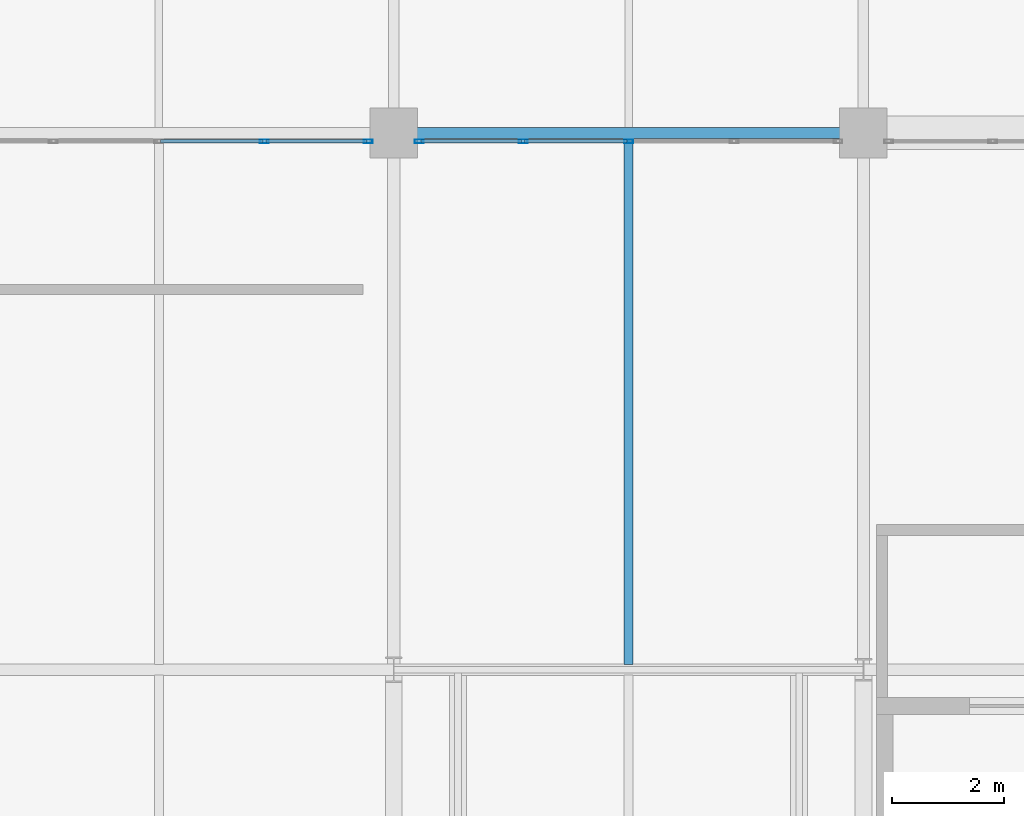
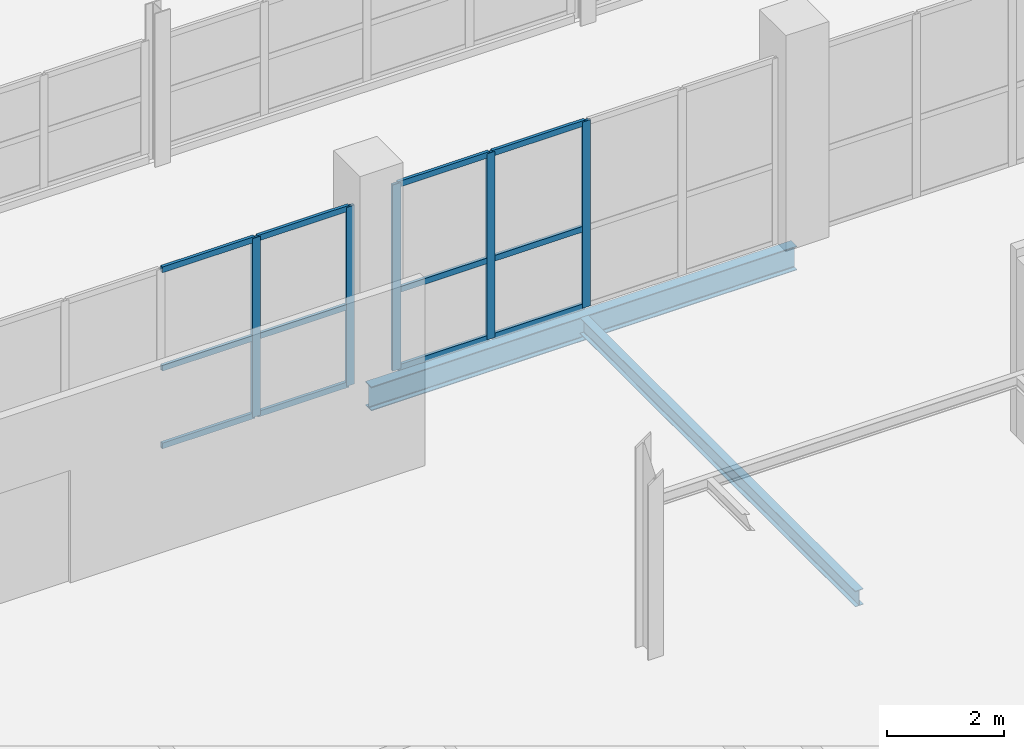
# One storey, part 37 of 103: 17 members, 2 beams, 2 elements without a shape of their own.
"""IFC4 building model written with IfcOpenShell, lengths in metres."""

from ifc_helpers import new_model, si_unit, direction, frame, origin, origin_2d, place, context, subcontext, project, spatial, hollow_rectangle, i_section, extrude, material, material_profile, profile_set, type_object, element, aggregate, save


model = new_model("IFC4")

# Units and contexts
model_context = context("Model", 3, precision=1e-05, world=origin(), true_north=direction((0.0, 1.0)))
body_context = subcontext(model_context, "Body", "Model", "MODEL_VIEW")
ifc_project = project(units=[si_unit("LENGTHUNIT", "METRE"), si_unit("AREAUNIT", "SQUARE_METRE"), si_unit("VOLUMEUNIT", "CUBIC_METRE"), si_unit("PLANEANGLEUNIT", "RADIAN"), si_unit("MASSUNIT", "GRAM", prefix="KILO")], contexts=[model_context])

# Site, building, storey
site_placement = place(None, origin())
site = spatial("IfcSite", under=ifc_project, at=site_placement, CompositionType="ELEMENT")
building_placement = place(site_placement, origin())
building = spatial("IfcBuilding", under=site, at=building_placement, Name="Veltarok Museum of Natural Sciences", CompositionType="ELEMENT")
storey_placement = place(building_placement, frame((0.0, 0.0, 21.89990234375)))
storey = spatial("IfcBuildingStorey", under=building, at=storey_placement, Name="L04", CompositionType="ELEMENT", Elevation=21.89990234375)

# Curtain wall, members
ifc_material_1 = material(Name="Low-iron triple insulated glass", Category="glass")
curtain_wall_type_1 = type_object("IfcCurtainWallType", Name="Curtain Wall System CW-V1CN4-L04-3-755x373 (CW-V1CN4 L04 755x373cm)", PredefinedType="NOTDEFINED", material=ifc_material_1)
curtain_wall_1_placement = place(storey_placement, origin())
curtain_wall_1 = element("IfcCurtainWall", 1, at=curtain_wall_1_placement, inside=storey, type_object=curtain_wall_type_1, Name="Curtain Wall CW-V1CN4-L04-3-755x373 CW-0167", PredefinedType="NOTDEFINED")
ifc_material_2 = material(Name="Thermally broken anodised aluminium", Category="aluminium")
ifc_material_profile_1 = material_profile(ifc_material_2, hollow_rectangle(XDim=0.06005859375, YDim=0.1201171875, WallThickness=0.0048828125, at=origin_2d()), Name="CW TRANSOM 60x120x5")
ifc_profile_set_1 = profile_set([ifc_material_profile_1], Name="Thermally broken anodised aluminium")
member_type_1 = type_object("IfcMemberType", Name="Curtain Wall Horizontal Transom 60x120x5", PredefinedType="USERDEFINED", material=ifc_profile_set_1)
member_1_placement = place(storey_placement, frame((81.514892578125, 19.050048828125, 0.028076171875), z_axis=(-1.0, 0.0, 0.0), x_axis=(0.0, -1.0, 0.0)))
member_1 = element("IfcMember", 2, at=member_1_placement, type_object=member_type_1, Name="CW-V1CN4-L04-3-755x373 transom 1.1", ObjectType="TRANSOM", PredefinedType="USERDEFINED", context=body_context, shape_type="SweptSolid", body=[
    extrude(hollow_rectangle(XDim=0.06005859375, YDim=0.1201171875, WallThickness=0.0048828125, at=origin_2d()), origin(), (0.0, 0.0, 1.0), 1.79736328125),
])
member_2_placement = place(storey_placement, frame((81.514892578125, 19.050048828125, 1.648193359375), z_axis=(-1.0, 0.0, 0.0), x_axis=(0.0, -1.0, 0.0)))
member_2 = element("IfcMember", 3, at=member_2_placement, type_object=member_type_1, Name="CW-V1CN4-L04-3-755x373 transom 1.2", ObjectType="TRANSOM", PredefinedType="USERDEFINED", context=body_context, shape_type="SweptSolid", body=[
    extrude(hollow_rectangle(XDim=0.06005859375, YDim=0.1201171875, WallThickness=0.0048828125, at=origin_2d()), origin(), (0.0, 0.0, 1.0), 1.79736328125),
])
member_3_placement = place(storey_placement, frame((81.514892578125, 19.050048828125, 3.7001953125), z_axis=(-1.0, 0.0, 0.0), x_axis=(0.0, -1.0, 0.0)))
member_3 = element("IfcMember", 4, at=member_3_placement, type_object=member_type_1, Name="CW-V1CN4-L04-3-755x373 transom 1.3", ObjectType="TRANSOM", PredefinedType="USERDEFINED", context=body_context, shape_type="SweptSolid", body=[
    extrude(hollow_rectangle(XDim=0.06005859375, YDim=0.1201171875, WallThickness=0.0048828125, at=origin_2d()), origin(), (0.0, 0.0, 1.0), 1.79736328125),
])
member_4_placement = place(storey_placement, frame((79.657470703125, 19.050048828125, 0.028076171875), z_axis=(-1.0, 0.0, 0.0), x_axis=(0.0, -1.0, 0.0)))
member_4 = element("IfcMember", 5, at=member_4_placement, type_object=member_type_1, Name="CW-V1CN4-L04-3-755x373 transom 2.1", ObjectType="TRANSOM", PredefinedType="USERDEFINED", context=body_context, shape_type="SweptSolid", body=[
    extrude(hollow_rectangle(XDim=0.06005859375, YDim=0.1201171875, WallThickness=0.0048828125, at=origin_2d()), origin(), (0.0, 0.0, 1.0), 1.827392578125),
])
member_5_placement = place(storey_placement, frame((79.657470703125, 19.050048828125, 1.648193359375), z_axis=(-1.0, 0.0, 0.0), x_axis=(0.0, -1.0, 0.0)))
member_5 = element("IfcMember", 6, at=member_5_placement, type_object=member_type_1, Name="CW-V1CN4-L04-3-755x373 transom 2.2", ObjectType="TRANSOM", PredefinedType="USERDEFINED", context=body_context, shape_type="SweptSolid", body=[
    extrude(hollow_rectangle(XDim=0.06005859375, YDim=0.1201171875, WallThickness=0.0048828125, at=origin_2d()), origin(), (0.0, 0.0, 1.0), 1.827392578125),
])
member_6_placement = place(storey_placement, frame((79.657470703125, 19.050048828125, 3.7001953125), z_axis=(-1.0, 0.0, 0.0), x_axis=(0.0, -1.0, 0.0)))
member_6 = element("IfcMember", 7, at=member_6_placement, type_object=member_type_1, Name="CW-V1CN4-L04-3-755x373 transom 2.3", ObjectType="TRANSOM", PredefinedType="USERDEFINED", context=body_context, shape_type="SweptSolid", body=[
    extrude(hollow_rectangle(XDim=0.06005859375, YDim=0.1201171875, WallThickness=0.0048828125, at=origin_2d()), origin(), (0.0, 0.0, 1.0), 1.827392578125),
])

curtain_wall_type_2 = type_object("IfcCurtainWallType", Name="Curtain Wall System CW-V1CN4-L04-0-755x388 (CW-V1CN4 L04 755x388cm)", PredefinedType="NOTDEFINED", material=ifc_material_1)
curtain_wall_2_placement = place(storey_placement, origin())
curtain_wall_2 = element("IfcCurtainWall", 8, at=curtain_wall_2_placement, inside=storey, type_object=curtain_wall_type_2, Name="Curtain Wall CW-V1CN4-L04-0-755x388 CW-0168", PredefinedType="NOTDEFINED")
member_7_placement = place(storey_placement, frame((86.169921875, 19.050048828125, 0.028076171875), z_axis=(-1.0, 0.0, 0.0), x_axis=(0.0, -1.0, 0.0)))
member_7 = element("IfcMember", 9, at=member_7_placement, type_object=member_type_1, Name="CW-V1CN4-L04-0-755x388 transom 3.1", ObjectType="TRANSOM", PredefinedType="USERDEFINED", context=body_context, shape_type="SweptSolid", body=[
    extrude(hollow_rectangle(XDim=0.06005859375, YDim=0.1201171875, WallThickness=0.0048828125, at=origin_2d()), origin(), (0.0, 0.0, 1.0), 1.827392578125),
])
member_8_placement = place(storey_placement, frame((86.169921875, 19.050048828125, 1.648193359375), z_axis=(-1.0, 0.0, 0.0), x_axis=(0.0, -1.0, 0.0)))
member_8 = element("IfcMember", 10, at=member_8_placement, type_object=member_type_1, Name="CW-V1CN4-L04-0-755x388 transom 3.2", ObjectType="TRANSOM", PredefinedType="USERDEFINED", context=body_context, shape_type="SweptSolid", body=[
    extrude(hollow_rectangle(XDim=0.06005859375, YDim=0.1201171875, WallThickness=0.0048828125, at=origin_2d()), origin(), (0.0, 0.0, 1.0), 1.827392578125),
])
member_9_placement = place(storey_placement, frame((86.169921875, 19.050048828125, 3.85009765625), z_axis=(-1.0, 0.0, 0.0), x_axis=(0.0, -1.0, 0.0)))
member_9 = element("IfcMember", 11, at=member_9_placement, type_object=member_type_1, Name="CW-V1CN4-L04-0-755x388 transom 3.3", ObjectType="TRANSOM", PredefinedType="USERDEFINED", context=body_context, shape_type="SweptSolid", body=[
    extrude(hollow_rectangle(XDim=0.06005859375, YDim=0.1201171875, WallThickness=0.0048828125, at=origin_2d()), origin(), (0.0, 0.0, 1.0), 1.827392578125),
])
member_10_placement = place(storey_placement, frame((84.282470703125, 19.050048828125, 0.028076171875), z_axis=(-1.0, 0.0, 0.0), x_axis=(0.0, -1.0, 0.0)))
member_10 = element("IfcMember", 12, at=member_10_placement, type_object=member_type_1, Name="CW-V1CN4-L04-0-755x388 transom 4.1", ObjectType="TRANSOM", PredefinedType="USERDEFINED", context=body_context, shape_type="SweptSolid", body=[
    extrude(hollow_rectangle(XDim=0.06005859375, YDim=0.1201171875, WallThickness=0.0048828125, at=origin_2d()), origin(), (0.0, 0.0, 1.0), 1.79736328125),
])
member_11_placement = place(storey_placement, frame((84.282470703125, 19.050048828125, 1.648193359375), z_axis=(-1.0, 0.0, 0.0), x_axis=(0.0, -1.0, 0.0)))
member_11 = element("IfcMember", 13, at=member_11_placement, type_object=member_type_1, Name="CW-V1CN4-L04-0-755x388 transom 4.2", ObjectType="TRANSOM", PredefinedType="USERDEFINED", context=body_context, shape_type="SweptSolid", body=[
    extrude(hollow_rectangle(XDim=0.06005859375, YDim=0.1201171875, WallThickness=0.0048828125, at=origin_2d()), origin(), (0.0, 0.0, 1.0), 1.79736328125),
])
member_12_placement = place(storey_placement, frame((84.282470703125, 19.050048828125, 3.85009765625), z_axis=(-1.0, 0.0, 0.0), x_axis=(0.0, -1.0, 0.0)))
member_12 = element("IfcMember", 14, at=member_12_placement, type_object=member_type_1, Name="CW-V1CN4-L04-0-755x388 transom 4.3", ObjectType="TRANSOM", PredefinedType="USERDEFINED", context=body_context, shape_type="SweptSolid", body=[
    extrude(hollow_rectangle(XDim=0.06005859375, YDim=0.1201171875, WallThickness=0.0048828125, at=origin_2d()), origin(), (0.0, 0.0, 1.0), 1.79736328125),
])

# Member
ifc_material_profile_2 = material_profile(ifc_material_2, hollow_rectangle(XDim=0.06005859375, YDim=0.159912109375, WallThickness=0.0048828125, at=origin_2d()), Name="CW MULLION 60x160x5")
ifc_profile_set_2 = profile_set([ifc_material_profile_2], Name="Thermally broken anodised aluminium")
member_type_2 = type_object("IfcMemberType", Name="Curtain Wall Vertical Mullion 60x160x5", PredefinedType="MULLION", material=ifc_profile_set_2)
member_13_placement = place(storey_placement, frame((81.544921875, 19.050048828125, -0.001953125), z_axis=(0.0, 0.0, 1.0), x_axis=(0.0, -1.0, 0.0)))
member_13 = element("IfcMember", 15, at=member_13_placement, type_object=member_type_2, Name="CW-V1CN4-L04-3-755x373 mullion 1", PredefinedType="MULLION", context=body_context, shape_type="SweptSolid", body=[
    extrude(hollow_rectangle(XDim=0.06005859375, YDim=0.159912109375, WallThickness=0.0048828125, at=origin_2d()), origin(), (0.0, 0.0, 1.0), 3.73193359375),
])

member_14_placement = place(storey_placement, frame((79.6875, 19.050048828125, -0.001953125), z_axis=(0.0, 0.0, 1.0), x_axis=(0.0, -1.0, 0.0)))
member_14 = element("IfcMember", 16, at=member_14_placement, type_object=member_type_2, Name="CW-V1CN4-L04-3-755x373 mullion 2", PredefinedType="MULLION", context=body_context, shape_type="SweptSolid", body=[
    extrude(hollow_rectangle(XDim=0.06005859375, YDim=0.159912109375, WallThickness=0.0048828125, at=origin_2d()), origin(), (0.0, 0.0, 1.0), 3.73193359375),
])

aggregate(curtain_wall_1, [member_13, member_14, member_1, member_2, member_3, member_4, member_5, member_6])

member_15_placement = place(storey_placement, frame((86.199951171875, 19.050048828125, -0.001953125), z_axis=(0.0, 0.0, 1.0), x_axis=(0.0, -1.0, 0.0)))
member_15 = element("IfcMember", 17, at=member_15_placement, type_object=member_type_2, Name="CW-V1CN4-L04-0-755x388 mullion 3", PredefinedType="MULLION", context=body_context, shape_type="SweptSolid", body=[
    extrude(hollow_rectangle(XDim=0.06005859375, YDim=0.159912109375, WallThickness=0.0048828125, at=origin_2d()), origin(), (0.0, 0.0, 1.0), 3.882080078125),
])

member_16_placement = place(storey_placement, frame((84.3125, 19.050048828125, -0.001953125), z_axis=(0.0, 0.0, 1.0), x_axis=(0.0, -1.0, 0.0)))
member_16 = element("IfcMember", 18, at=member_16_placement, type_object=member_type_2, Name="CW-V1CN4-L04-0-755x388 mullion 4", PredefinedType="MULLION", context=body_context, shape_type="SweptSolid", body=[
    extrude(hollow_rectangle(XDim=0.06005859375, YDim=0.159912109375, WallThickness=0.0048828125, at=origin_2d()), origin(), (0.0, 0.0, 1.0), 3.882080078125),
])

member_17_placement = place(storey_placement, frame((82.455078125, 19.050048828125, -0.001953125), z_axis=(0.0, 0.0, 1.0), x_axis=(0.0, -1.0, 0.0)))
member_17 = element("IfcMember", 19, at=member_17_placement, type_object=member_type_2, Name="CW-V1CN4-L04-0-755x388 mullion 5", PredefinedType="MULLION", context=body_context, shape_type="SweptSolid", body=[
    extrude(hollow_rectangle(XDim=0.06005859375, YDim=0.159912109375, WallThickness=0.0048828125, at=origin_2d()), origin(), (0.0, 0.0, 1.0), 3.882080078125),
])

aggregate(curtain_wall_2, [member_15, member_16, member_17, member_7, member_8, member_9, member_10, member_11, member_12])

# Beams
ifc_material_3 = material(Name="Steel S355J2", Category="steel")
ifc_material_profile_3 = material_profile(ifc_material_3, i_section(OverallWidth=0.159912109375, OverallDepth=0.330078125, WebThickness=0.007568359375, FlangeThickness=0.011474609375, FilletRadius=0.01806640625, at=origin_2d()), Name="IPE 330")
ifc_profile_set_3 = profile_set([ifc_material_profile_3], Name="Steel S355J2")
beam_type_1 = type_object("IfcBeamType", Name="Medium-Bay Composite Joist IPE 330", PredefinedType="JOIST", material=ifc_profile_set_3)
beam_1_placement = place(storey_placement, frame((86.199951171875, 9.697998046875, -0.414794921875), z_axis=(0.0, 1.0, 0.0), x_axis=(-1.0, 0.0, 0.0)))
element("IfcBeam", 20, at=beam_1_placement, inside=storey, type_object=beam_type_1, Name="Secondary Joist BM-J02 L04 10-11/B-C.1", PredefinedType="JOIST", context=body_context, shape_type="SweptSolid", body=[
    extrude(i_section(OverallWidth=0.159912109375, OverallDepth=0.330078125, WebThickness=0.007568359375, FlangeThickness=0.011474609375, FilletRadius=0.01806640625, at=origin_2d()), origin(), (0.0, 0.0, 1.0), 9.404052734375),
])
ifc_material_profile_4 = material_profile(ifc_material_3, i_section(OverallWidth=0.199951171875, OverallDepth=0.5, WebThickness=0.01025390625, FlangeThickness=0.01611328125, FilletRadius=0.02099609375, at=origin_2d()), Name="IPE 500")
ifc_profile_set_4 = profile_set([ifc_material_profile_4], Name="Steel S355J2")
beam_type_2 = type_object("IfcBeamType", Name="Standard Gallery Girder IPE 500", PredefinedType="BEAM", material=ifc_profile_set_4)
beam_2_placement = place(storey_placement, frame((82.0, 19.199951171875, -0.5), z_axis=(1.0, 0.0, 0.0), x_axis=(0.0, 1.0, 0.0)))
element("IfcBeam", 21, at=beam_2_placement, inside=storey, type_object=beam_type_2, Name="Beam BM-G04 L04 10-11/C", PredefinedType="BEAM", context=body_context, shape_type="SweptSolid", body=[
    extrude(i_section(OverallWidth=0.199951171875, OverallDepth=0.5, WebThickness=0.01025390625, FlangeThickness=0.01611328125, FilletRadius=0.02099609375, at=origin_2d()), origin(), (0.0, 0.0, 1.0), 8.39990234375),
])

save(model, "model.ifc")
